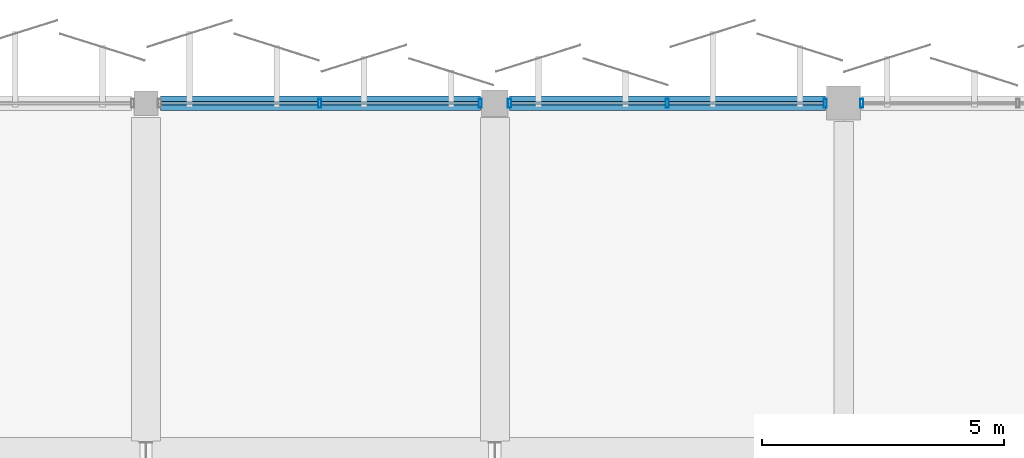
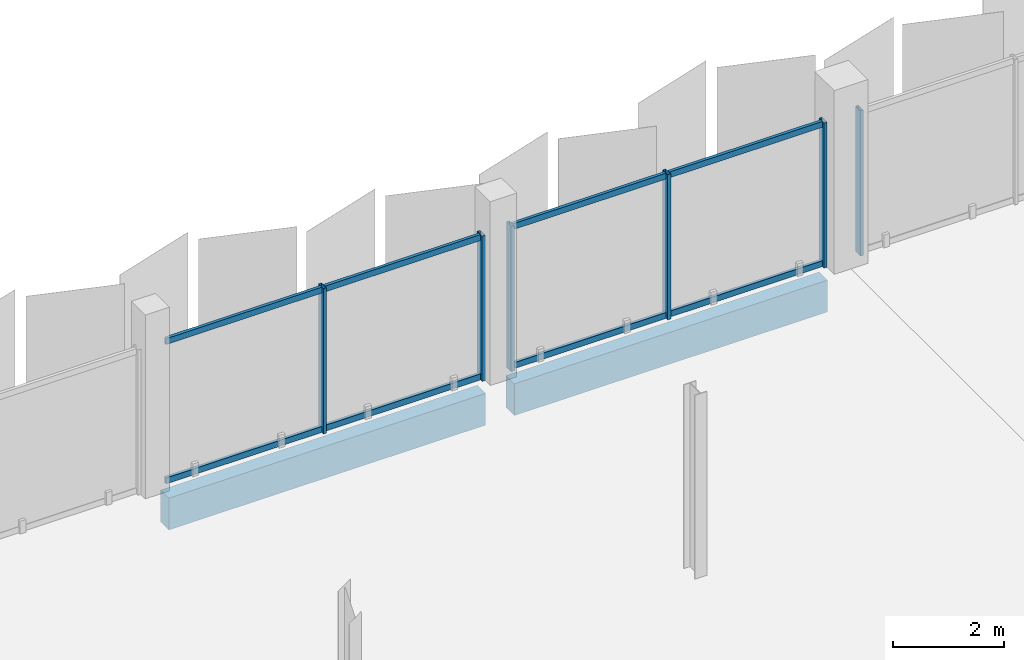
# One storey, part 48 of 107: 14 members, 2 beams, 3 elements without a shape of their own.
"""IFC4 building model written with IfcOpenShell, lengths in metres."""

from ifc_helpers import new_model, si_unit, direction, frame, origin, origin_2d, place, context, subcontext, project, spatial, rectangle, hollow_rectangle, extrude, material, layer, layer_set, material_profile, profile_set, type_object, element, aggregate, save


model = new_model("IFC4")

# Units and contexts
model_context = context("Model", 3, precision=1e-05, world=origin(), true_north=direction((0.0, 1.0)))
body_context = subcontext(model_context, "Body", "Model", "MODEL_VIEW")
ifc_project = project(units=[si_unit("LENGTHUNIT", "METRE"), si_unit("AREAUNIT", "SQUARE_METRE"), si_unit("VOLUMEUNIT", "CUBIC_METRE"), si_unit("PLANEANGLEUNIT", "RADIAN"), si_unit("MASSUNIT", "GRAM", prefix="KILO")], contexts=[model_context])

# Site, building, storey
site_placement = place(None, origin())
site = spatial("IfcSite", under=ifc_project, at=site_placement, CompositionType="ELEMENT")
building_placement = place(site_placement, origin())
building = spatial("IfcBuilding", under=site, at=building_placement, Name="Kangsadwip Square Police Headquarters", CompositionType="ELEMENT")
storey_placement = place(building_placement, frame((0.0, 0.0, 5.39990234375)))
storey = spatial("IfcBuildingStorey", under=building, at=storey_placement, Name="L01", CompositionType="ELEMENT", Elevation=5.39990234375)

# Curtain wall, members
ifc_material_1 = material(Name="Thermally broken anodised aluminium AW-6063-T6", Category="aluminium")
ifc_layer_1 = layer(ifc_material_1, 0.159912109375)
ifc_layer_set_1 = layer_set([ifc_layer_1], Name="Thermally broken anodised aluminium AW-6063-T6")
curtain_wall_type_1 = type_object("IfcCurtainWallType", Name="UnitisedCw6685x3200", PredefinedType="NOTDEFINED", material=ifc_layer_set_1)
curtain_wall_1_placement = place(storey_placement, origin())
curtain_wall_1 = element("IfcCurtainWall", 1, at=curtain_wall_1_placement, inside=storey, type_object=curtain_wall_type_1, Name="Curtain Wall CW-L01-0794-1152", PredefinedType="NOTDEFINED")
ifc_material_2 = material(Name="Thermally broken anodised aluminium AW-6063-T6", Category="aluminium")
ifc_material_profile_1 = material_profile(ifc_material_2, hollow_rectangle(XDim=0.06494140625, YDim=0.179931640625, WallThickness=0.00390625, at=origin_2d()), Name="CWM 180X65X4")
ifc_profile_set_1 = profile_set([ifc_material_profile_1], Name="Thermally broken anodised aluminium AW-6063-T6")
member_type_1 = type_object("IfcMemberType", Name="CwMullion160x65", PredefinedType="MULLION", material=ifc_profile_set_1)
member_1_placement = place(storey_placement, frame((82.78759765625, 115.199951171875, 0.0), z_axis=(0.0, 0.0, 1.0), x_axis=(1.0, 0.0, 0.0)))
member_1 = element("IfcMember", 2, at=member_1_placement, type_object=member_type_1, Name="CW-23 mullion 2", PredefinedType="MULLION", context=body_context, shape_type="SweptSolid", body=[
    extrude(hollow_rectangle(XDim=0.06494140625, YDim=0.179931640625, WallThickness=0.00390625, at=origin_2d()), origin(), (0.0, 0.0, 1.0), 3.2001953125),
])
member_2_placement = place(storey_placement, frame((86.097412109375, 115.199951171875, 0.0), z_axis=(0.0, 0.0, 1.0), x_axis=(1.0, 0.0, 0.0)))
member_2 = element("IfcMember", 3, at=member_2_placement, type_object=member_type_1, Name="CW-23 mullion 3", PredefinedType="MULLION", context=body_context, shape_type="SweptSolid", body=[
    extrude(hollow_rectangle(XDim=0.06494140625, YDim=0.179931640625, WallThickness=0.00390625, at=origin_2d()), origin(), (0.0, 0.0, 1.0), 3.2001953125),
])

ifc_material_3 = material(Name="Thermally broken anodised aluminium AW-6063-T6", Category="aluminium")
ifc_layer_2 = layer(ifc_material_3, 0.159912109375)
ifc_layer_set_2 = layer_set([ifc_layer_2], Name="Thermally broken anodised aluminium AW-6063-T6")
curtain_wall_type_2 = type_object("IfcCurtainWallType", Name="UnitisedCw6585x3200", PredefinedType="NOTDEFINED", material=ifc_layer_set_2)
curtain_wall_2_placement = place(storey_placement, origin())
curtain_wall_2 = element("IfcCurtainWall", 4, at=curtain_wall_2_placement, inside=storey, type_object=curtain_wall_type_2, Name="Curtain Wall CW-L01-0867-1152", PredefinedType="NOTDEFINED")
member_3_placement = place(storey_placement, frame((86.702392578125, 115.199951171875, 0.0), z_axis=(0.0, 0.0, 1.0), x_axis=(1.0, 0.0, 0.0)))
member_3 = element("IfcMember", 5, at=member_3_placement, type_object=member_type_1, Name="CW-21 mullion 1", PredefinedType="MULLION", context=body_context, shape_type="SweptSolid", body=[
    extrude(hollow_rectangle(XDim=0.06494140625, YDim=0.179931640625, WallThickness=0.00390625, at=origin_2d()), origin(), (0.0, 0.0, 1.0), 3.2001953125),
])
member_4_placement = place(storey_placement, frame((89.96240234375, 115.199951171875, 0.0), z_axis=(0.0, 0.0, 1.0), x_axis=(1.0, 0.0, 0.0)))
member_4 = element("IfcMember", 6, at=member_4_placement, type_object=member_type_1, Name="CW-21 mullion 2", PredefinedType="MULLION", context=body_context, shape_type="SweptSolid", body=[
    extrude(hollow_rectangle(XDim=0.06494140625, YDim=0.179931640625, WallThickness=0.00390625, at=origin_2d()), origin(), (0.0, 0.0, 1.0), 3.2001953125),
])
member_5_placement = place(storey_placement, frame((93.222412109375, 115.199951171875, 0.0), z_axis=(0.0, 0.0, 1.0), x_axis=(1.0, 0.0, 0.0)))
member_5 = element("IfcMember", 7, at=member_5_placement, type_object=member_type_1, Name="CW-21 mullion 3", PredefinedType="MULLION", context=body_context, shape_type="SweptSolid", body=[
    extrude(hollow_rectangle(XDim=0.06494140625, YDim=0.179931640625, WallThickness=0.00390625, at=origin_2d()), origin(), (0.0, 0.0, 1.0), 3.2001953125),
])

# Curtain wall, member
ifc_material_4 = material(Name="Thermally broken anodised aluminium AW-6063-T6", Category="aluminium")
ifc_layer_3 = layer(ifc_material_4, 0.159912109375)
ifc_layer_set_3 = layer_set([ifc_layer_3], Name="Thermally broken anodised aluminium AW-6063-T6")
curtain_wall_type_3 = type_object("IfcCurtainWallType", Name="UnitisedCw6510x3200", PredefinedType="NOTDEFINED", material=ifc_layer_set_3)
curtain_wall_3_placement = place(storey_placement, origin())
curtain_wall_3 = element("IfcCurtainWall", 8, at=curtain_wall_3_placement, inside=storey, type_object=curtain_wall_type_3, Name="Curtain Wall CW-L01-0939-1152", PredefinedType="NOTDEFINED")
member_6_placement = place(storey_placement, frame((93.9775390625, 115.199951171875, 0.0), z_axis=(0.0, 0.0, 1.0), x_axis=(1.0, 0.0, 0.0)))
member_6 = element("IfcMember", 9, at=member_6_placement, type_object=member_type_1, Name="CW-24 mullion 1", PredefinedType="MULLION", context=body_context, shape_type="SweptSolid", body=[
    extrude(hollow_rectangle(XDim=0.06494140625, YDim=0.179931640625, WallThickness=0.00390625, at=origin_2d()), origin(), (0.0, 0.0, 1.0), 3.2001953125),
])
aggregate(curtain_wall_3, [member_6])

# Member
ifc_material_5 = material(Name="Thermally broken anodised aluminium AW-6063-T6", Category="aluminium")
ifc_material_profile_2 = material_profile(ifc_material_5, hollow_rectangle(XDim=0.06494140625, YDim=0.1298828125, WallThickness=0.00390625, at=origin_2d()), Name="CWT 130X65X4")
ifc_profile_set_2 = profile_set([ifc_material_profile_2], Name="Thermally broken anodised aluminium AW-6063-T6")
member_type_2 = type_object("IfcMemberType", Name="CwTransom140x60", PredefinedType="USERDEFINED", material=ifc_profile_set_2)
member_7_placement = place(storey_placement, frame((79.510009765625, 115.199951171875, 0.065185546875), z_axis=(1.0, 0.0, 0.0), x_axis=(0.0, 1.0, 0.0)))
member_7 = element("IfcMember", 10, at=member_7_placement, type_object=member_type_2, Name="CW-23 transom 1.1", ObjectType="TRANSOM", PredefinedType="USERDEFINED", context=body_context, shape_type="SweptSolid", body=[
    extrude(hollow_rectangle(XDim=0.06494140625, YDim=0.1298828125, WallThickness=0.00390625, at=origin_2d()), origin(), (0.0, 0.0, 1.0), 3.244873046875),
])

member_8_placement = place(storey_placement, frame((79.510009765625, 115.199951171875, 3.135009765625), z_axis=(1.0, 0.0, 0.0), x_axis=(0.0, 1.0, 0.0)))
member_8 = element("IfcMember", 11, at=member_8_placement, type_object=member_type_2, Name="CW-23 transom 1.2", ObjectType="TRANSOM", PredefinedType="USERDEFINED", context=body_context, shape_type="SweptSolid", body=[
    extrude(hollow_rectangle(XDim=0.06494140625, YDim=0.1298828125, WallThickness=0.00390625, at=origin_2d()), origin(), (0.0, 0.0, 1.0), 3.244873046875),
])

member_9_placement = place(storey_placement, frame((82.820068359375, 115.199951171875, 0.065185546875), z_axis=(1.0, 0.0, 0.0), x_axis=(0.0, 1.0, 0.0)))
member_9 = element("IfcMember", 12, at=member_9_placement, type_object=member_type_2, Name="CW-23 transom 2.1", ObjectType="TRANSOM", PredefinedType="USERDEFINED", context=body_context, shape_type="SweptSolid", body=[
    extrude(hollow_rectangle(XDim=0.06494140625, YDim=0.1298828125, WallThickness=0.00390625, at=origin_2d()), origin(), (0.0, 0.0, 1.0), 3.244873046875),
])

member_10_placement = place(storey_placement, frame((82.820068359375, 115.199951171875, 3.135009765625), z_axis=(1.0, 0.0, 0.0), x_axis=(0.0, 1.0, 0.0)))
member_10 = element("IfcMember", 13, at=member_10_placement, type_object=member_type_2, Name="CW-23 transom 2.2", ObjectType="TRANSOM", PredefinedType="USERDEFINED", context=body_context, shape_type="SweptSolid", body=[
    extrude(hollow_rectangle(XDim=0.06494140625, YDim=0.1298828125, WallThickness=0.00390625, at=origin_2d()), origin(), (0.0, 0.0, 1.0), 3.244873046875),
])

aggregate(curtain_wall_1, [member_1, member_2, member_7, member_8, member_9, member_10])

member_11_placement = place(storey_placement, frame((86.735107421875, 115.199951171875, 0.065185546875), z_axis=(1.0, 0.0, 0.0), x_axis=(0.0, 1.0, 0.0)))
member_11 = element("IfcMember", 14, at=member_11_placement, type_object=member_type_2, Name="CW-21 transom 1.1", ObjectType="TRANSOM", PredefinedType="USERDEFINED", context=body_context, shape_type="SweptSolid", body=[
    extrude(hollow_rectangle(XDim=0.06494140625, YDim=0.1298828125, WallThickness=0.00390625, at=origin_2d()), origin(), (0.0, 0.0, 1.0), 3.19482421875),
])

member_12_placement = place(storey_placement, frame((86.735107421875, 115.199951171875, 3.135009765625), z_axis=(1.0, 0.0, 0.0), x_axis=(0.0, 1.0, 0.0)))
member_12 = element("IfcMember", 15, at=member_12_placement, type_object=member_type_2, Name="CW-21 transom 1.2", ObjectType="TRANSOM", PredefinedType="USERDEFINED", context=body_context, shape_type="SweptSolid", body=[
    extrude(hollow_rectangle(XDim=0.06494140625, YDim=0.1298828125, WallThickness=0.00390625, at=origin_2d()), origin(), (0.0, 0.0, 1.0), 3.19482421875),
])

member_13_placement = place(storey_placement, frame((89.9951171875, 115.199951171875, 0.065185546875), z_axis=(1.0, 0.0, 0.0), x_axis=(0.0, 1.0, 0.0)))
member_13 = element("IfcMember", 16, at=member_13_placement, type_object=member_type_2, Name="CW-21 transom 2.1", ObjectType="TRANSOM", PredefinedType="USERDEFINED", context=body_context, shape_type="SweptSolid", body=[
    extrude(hollow_rectangle(XDim=0.06494140625, YDim=0.1298828125, WallThickness=0.00390625, at=origin_2d()), origin(), (0.0, 0.0, 1.0), 3.19482421875),
])

member_14_placement = place(storey_placement, frame((89.9951171875, 115.199951171875, 3.135009765625), z_axis=(1.0, 0.0, 0.0), x_axis=(0.0, 1.0, 0.0)))
member_14 = element("IfcMember", 17, at=member_14_placement, type_object=member_type_2, Name="CW-21 transom 2.2", ObjectType="TRANSOM", PredefinedType="USERDEFINED", context=body_context, shape_type="SweptSolid", body=[
    extrude(hollow_rectangle(XDim=0.06494140625, YDim=0.1298828125, WallThickness=0.00390625, at=origin_2d()), origin(), (0.0, 0.0, 1.0), 3.19482421875),
])

aggregate(curtain_wall_2, [member_3, member_4, member_5, member_11, member_12, member_13, member_14])

# Beams
ifc_material_6 = material(Name="Concrete M40 (40 MPa)", Category="concrete")
ifc_material_profile_3 = material_profile(ifc_material_6, rectangle(XDim=0.300048828125, YDim=0.699951171875, at=origin_2d()), Name="RC SPN 700X300")
ifc_profile_set_3 = profile_set([ifc_material_profile_3], Name="Concrete M40 (40 MPa)")
beam_type = type_object("IfcBeamType", Name="RcSpandrel700x300", PredefinedType="SPANDREL", material=ifc_profile_set_3)
beam_1_placement = place(storey_placement, frame((79.5, 115.199951171875, -0.58984375), z_axis=(1.0, 0.0, 0.0), x_axis=(0.0, 1.0, 0.0)))
element("IfcBeam", 18, at=beam_1_placement, inside=storey, type_object=beam_type, Name="Beam BM-L01-X-11-16", PredefinedType="SPANDREL", context=body_context, shape_type="SweptSolid", body=[
    extrude(rectangle(XDim=0.300048828125, YDim=0.699951171875, at=origin_2d()), origin(), (0.0, 0.0, 1.0), 6.60009765625),
])
beam_2_placement = place(storey_placement, frame((86.699951171875, 115.199951171875, -0.58984375), z_axis=(1.0, 0.0, 0.0), x_axis=(0.0, 1.0, 0.0)))
element("IfcBeam", 19, at=beam_2_placement, inside=storey, type_object=beam_type, Name="Beam BM-L01-X-12-16", PredefinedType="SPANDREL", context=body_context, shape_type="SweptSolid", body=[
    extrude(rectangle(XDim=0.300048828125, YDim=0.699951171875, at=origin_2d()), origin(), (0.0, 0.0, 1.0), 6.525146484375),
])

save(model, "model.ifc")
